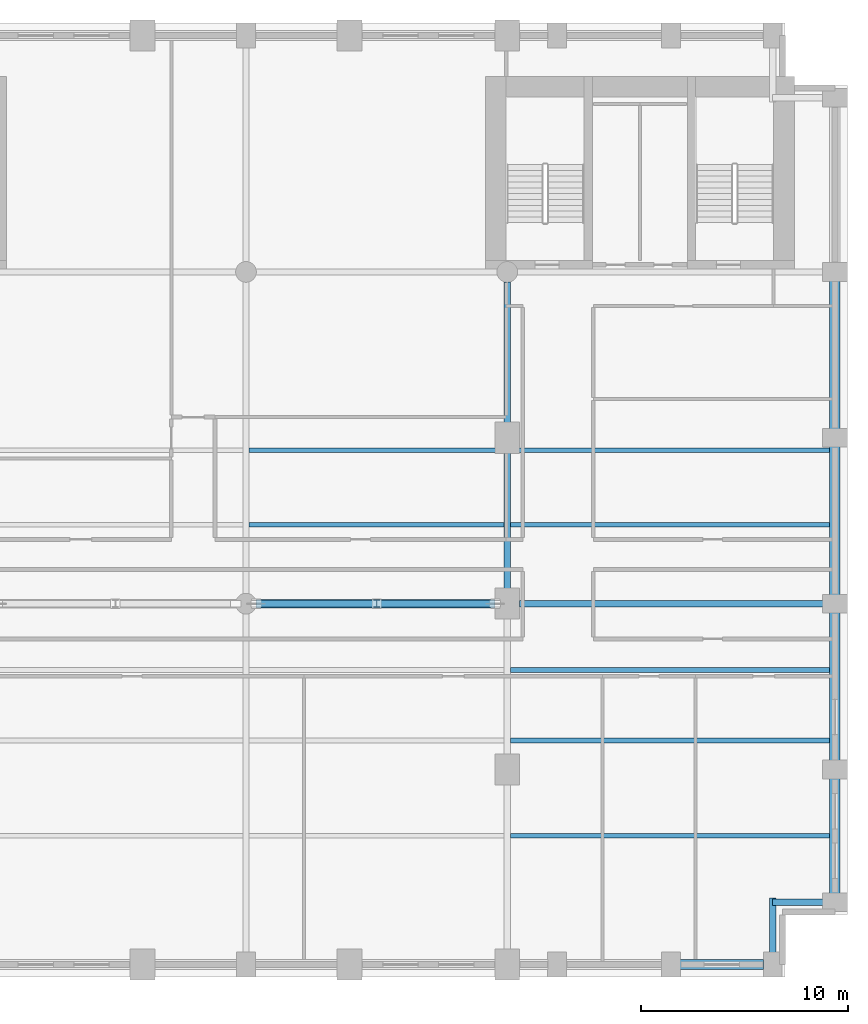
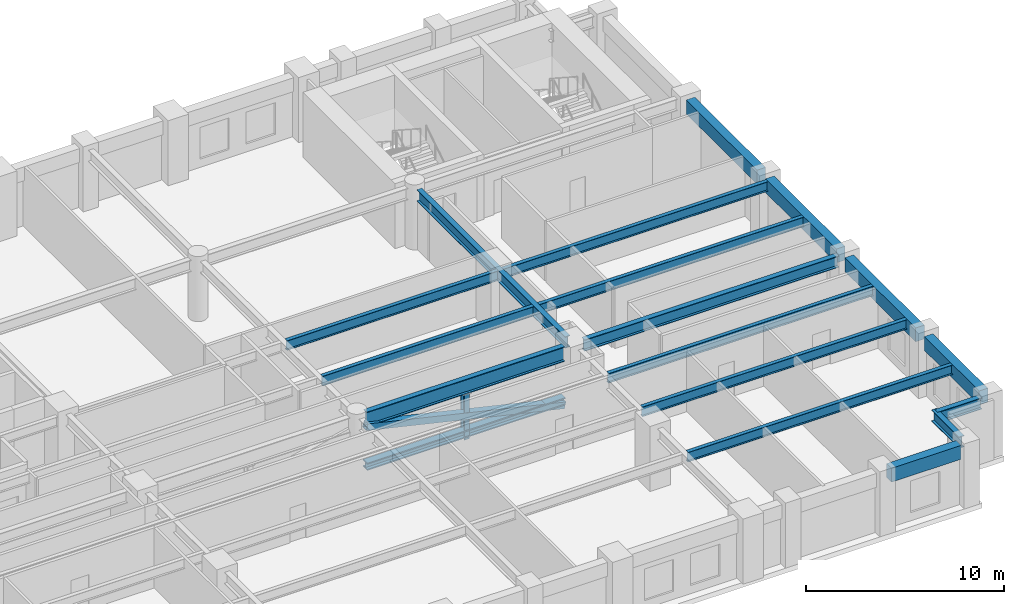
# One storey, part 3 of 10: 17 beams, 3 members.
"""IFC4 building model written with IfcOpenShell, lengths in metres."""

from ifc_helpers import new_model, si_unit, direction, frame, origin, origin_2d, place, context, subcontext, project, spatial, rectangle, hollow_rectangle, i_section, extrude, material, material_profile, profile_set, type_object, element, save


model = new_model("IFC4")

# Units and contexts
model_context = context("Model", 3, precision=1e-05, world=origin(), true_north=direction((0.0, 1.0)))
body_context = subcontext(model_context, "Body", "Model", "MODEL_VIEW")
ifc_project = project(units=[si_unit("LENGTHUNIT", "METRE"), si_unit("AREAUNIT", "SQUARE_METRE"), si_unit("VOLUMEUNIT", "CUBIC_METRE"), si_unit("PLANEANGLEUNIT", "RADIAN"), si_unit("MASSUNIT", "GRAM", prefix="KILO")], contexts=[model_context])

# Site, building, storey
site_placement = place(None, origin())
site = spatial("IfcSite", under=ifc_project, at=site_placement, CompositionType="ELEMENT")
building_placement = place(site_placement, origin())
building = spatial("IfcBuilding", under=site, at=building_placement, Name="Sulina Concourse Tower", CompositionType="ELEMENT")
storey_placement = place(building_placement, frame((0.0, 0.0, 62.60009765625)))
storey = spatial("IfcBuildingStorey", under=building, at=storey_placement, Name="L15", CompositionType="ELEMENT", Elevation=62.60009765625)

# Beams
ifc_material_1 = material(Name="Steel S355", Category="steel")
ifc_material_profile_1 = material_profile(ifc_material_1, i_section(OverallWidth=0.219970703125, OverallDepth=0.60009765625, WebThickness=0.011962890625, FlangeThickness=0.01904296875, at=origin_2d()), Name="IPE 600")
ifc_profile_set_1 = profile_set([ifc_material_profile_1], Name="Steel S355")
beam_type_1 = type_object("IfcBeamType", Name="Composite Floor Joist IPE600", PredefinedType="JOIST", material=ifc_profile_set_1)
for number, where, z_axis, x_axis, name in (
    (1, (41.75, 6.800048828125, 3.39990234375), (1.0, 0.0, 0.0), (0.0, 1.0, 0.0), "FJ-J06-4-L15"),
    (2, (41.75, 11.39990234375, 3.39990234375), (1.0, 0.0, 0.0), (0.0, 1.0, 0.0), "FJ-J11-4-L15"),
    (3, (41.75, 14.800048828125, 3.39990234375), (1.0, 0.0, 0.0), (0.0, 1.0, 0.0), "FJ-J15-4-L15"),
):
    element("IfcBeam", number, at=place(storey_placement, frame(where, z_axis=z_axis, x_axis=x_axis)), inside=storey, type_object=beam_type_1, Name=name, PredefinedType="JOIST", context=body_context, shape_type="SweptSolid", body=[
        extrude(i_section(OverallWidth=0.219970703125, OverallDepth=0.60009765625, WebThickness=0.011962890625, FlangeThickness=0.01904296875, at=origin_2d()), origin(), (0.0, 0.0, 1.0), 15.39990234375),
    ])
beam_1_placement = place(storey_placement, frame((29.14990234375, 21.800048828125, 3.39990234375), z_axis=(1.0, 0.0, 0.0), x_axis=(0.0, 1.0, 0.0)))
element("IfcBeam", 4, at=beam_1_placement, inside=storey, type_object=beam_type_1, Name="FJ-J22-3-L15", PredefinedType="JOIST", context=body_context, shape_type="SweptSolid", body=[
    extrude(i_section(OverallWidth=0.219970703125, OverallDepth=0.60009765625, WebThickness=0.011962890625, FlangeThickness=0.01904296875, at=origin_2d()), origin(), (0.0, 0.0, 1.0), 12.300048828125),
])
beam_2_placement = place(storey_placement, frame((41.75, 21.800048828125, 3.39990234375), z_axis=(1.0, 0.0, 0.0), x_axis=(0.0, 1.0, 0.0)))
element("IfcBeam", 5, at=beam_2_placement, inside=storey, type_object=beam_type_1, Name="FJ-J22-4-L15", PredefinedType="JOIST", context=body_context, shape_type="SweptSolid", body=[
    extrude(i_section(OverallWidth=0.219970703125, OverallDepth=0.60009765625, WebThickness=0.011962890625, FlangeThickness=0.01904296875, at=origin_2d()), origin(), (0.0, 0.0, 1.0), 15.39990234375),
])
beam_3_placement = place(storey_placement, frame((29.14990234375, 25.39990234375, 3.39990234375), z_axis=(1.0, 0.0, 0.0), x_axis=(0.0, 1.0, 0.0)))
element("IfcBeam", 6, at=beam_3_placement, inside=storey, type_object=beam_type_1, Name="FJ-J25-3-L15", PredefinedType="JOIST", context=body_context, shape_type="SweptSolid", body=[
    extrude(i_section(OverallWidth=0.219970703125, OverallDepth=0.60009765625, WebThickness=0.011962890625, FlangeThickness=0.01904296875, at=origin_2d()), origin(), (0.0, 0.0, 1.0), 12.300048828125),
])
beam_4_placement = place(storey_placement, frame((41.75, 25.39990234375, 3.39990234375), z_axis=(1.0, 0.0, 0.0), x_axis=(0.0, 1.0, 0.0)))
element("IfcBeam", 7, at=beam_4_placement, inside=storey, type_object=beam_type_1, Name="FJ-J25-4-L15", PredefinedType="JOIST", context=body_context, shape_type="SweptSolid", body=[
    extrude(i_section(OverallWidth=0.219970703125, OverallDepth=0.60009765625, WebThickness=0.011962890625, FlangeThickness=0.01904296875, at=origin_2d()), origin(), (0.0, 0.0, 1.0), 15.39990234375),
])
ifc_material_2 = material(Name="Steel S355", Category="steel")
ifc_material_profile_2 = material_profile(ifc_material_2, i_section(OverallWidth=0.300048828125, OverallDepth=0.699951171875, WebThickness=0.01708984375, FlangeThickness=0.031982421875, at=origin_2d()), Name="HE 700 B")
ifc_profile_set_2 = profile_set([ifc_material_profile_2], Name="Steel S355")
beam_type_2 = type_object("IfcBeamType", Name="Floor Primary Girder Zone 1 HE700B", PredefinedType="BEAM", material=ifc_profile_set_2)
beam_5_placement = place(storey_placement, frame((54.39990234375, 3.60009765625, 3.349853515625), z_axis=(1.0, 0.0, 0.0), x_axis=(0.0, 1.0, 0.0)))
element("IfcBeam", 8, at=beam_5_placement, inside=storey, type_object=beam_type_2, Name="TIE-SE-L15", PredefinedType="BEAM", context=body_context, shape_type="SweptSolid", body=[
    extrude(i_section(OverallWidth=0.300048828125, OverallDepth=0.699951171875, WebThickness=0.01708984375, FlangeThickness=0.031982421875, at=origin_2d()), origin(), (0.0, 0.0, 1.0), 2.570068359375),
])
beam_6_placement = place(storey_placement, frame((54.39990234375, 1.030029296875, 3.349853515625), z_axis=(0.0, 1.0, 0.0), x_axis=(-1.0, 0.0, 0.0)))
element("IfcBeam", 9, at=beam_6_placement, inside=storey, type_object=beam_type_2, Name="TIE-SES-L15", PredefinedType="BEAM", context=body_context, shape_type="SweptSolid", body=[
    extrude(i_section(OverallWidth=0.300048828125, OverallDepth=0.699951171875, WebThickness=0.01708984375, FlangeThickness=0.031982421875, at=origin_2d()), origin(), (0.0, 0.0, 1.0), 2.77001953125),
])
beam_7_placement = place(storey_placement, frame((42.179931640625, 18.0, 3.349853515625), z_axis=(1.0, 0.0, 0.0), x_axis=(0.0, 1.0, 0.0)))
element("IfcBeam", 10, at=beam_7_placement, inside=storey, type_object=beam_type_2, Name="FG-EW4-L15", PredefinedType="BEAM", context=body_context, shape_type="SweptSolid", body=[
    extrude(i_section(OverallWidth=0.300048828125, OverallDepth=0.699951171875, WebThickness=0.01708984375, FlangeThickness=0.031982421875, at=origin_2d()), origin(), (0.0, 0.0, 1.0), 14.7900390625),
])
beam_8_placement = place(storey_placement, frame((41.60009765625, 18.580078125, 3.349853515625), z_axis=(0.0, 1.0, 0.0), x_axis=(-1.0, 0.0, 0.0)))
element("IfcBeam", 11, at=beam_8_placement, inside=storey, type_object=beam_type_2, Name="FG-NSB-41-L15", PredefinedType="BEAM", context=body_context, shape_type="SweptSolid", body=[
    extrude(i_section(OverallWidth=0.300048828125, OverallDepth=0.699951171875, WebThickness=0.01708984375, FlangeThickness=0.031982421875, at=origin_2d()), origin(), (0.0, 0.0, 1.0), 14.93994140625),
])

# Member
ifc_material_3 = material(Name="Steel S355", Category="steel")
ifc_material_profile_3 = material_profile(ifc_material_3, i_section(OverallWidth=0.412109375, OverallDepth=0.449951171875, WebThickness=0.041015625, FlangeThickness=0.068115234375, at=origin_2d()), Name="HD 400x509")
ifc_profile_set_3 = profile_set([ifc_material_profile_3], Name="Steel S355")
member_type_1 = type_object("IfcMemberType", Name="Lower Bridge Truss Chord HD400x509", PredefinedType="CHORD", material=ifc_profile_set_3)
member_1_placement = place(storey_placement, frame((29.489990234375, 18.0, 0.369873046875), z_axis=(1.0, 0.0, 0.0), x_axis=(0.0, 1.0, 0.0)))
element("IfcMember", 12, at=member_1_placement, inside=storey, type_object=member_type_1, Name="LBT-CH-2-L15", PredefinedType="CHORD", context=body_context, shape_type="SweptSolid", body=[
    extrude(i_section(OverallWidth=0.412109375, OverallDepth=0.449951171875, WebThickness=0.041015625, FlangeThickness=0.068115234375, at=origin_2d()), origin(), (0.0, 0.0, 1.0), 11.52001953125),
])

# Beam
ifc_material_4 = material(Name="Steel S355", Category="steel")
ifc_material_profile_4 = material_profile(ifc_material_4, i_section(OverallWidth=0.302001953125, OverallDepth=0.909912109375, WebThickness=0.02099609375, FlangeThickness=0.0400390625, at=origin_2d()), Name="HE 900 M")
ifc_profile_set_4 = profile_set([ifc_material_profile_4], Name="Steel S355")
beam_type_3 = type_object("IfcBeamType", Name="Lower Portal Bridge Girder HE900M", PredefinedType="BEAM", material=ifc_profile_set_4)
beam_9_placement = place(storey_placement, frame((29.47998046875, 18.0, 3.244873046875), z_axis=(1.0, 0.0, 0.0), x_axis=(0.0, 1.0, 0.0)))
element("IfcBeam", 13, at=beam_9_placement, inside=storey, type_object=beam_type_3, Name="FG-EW3-L15", PredefinedType="BEAM", context=body_context, shape_type="SweptSolid", body=[
    extrude(i_section(OverallWidth=0.302001953125, OverallDepth=0.909912109375, WebThickness=0.02099609375, FlangeThickness=0.0400390625, at=origin_2d()), origin(), (0.0, 0.0, 1.0), 11.5400390625),
])

# Member
ifc_material_5 = material(Name="Steel S355", Category="steel")
ifc_material_profile_5 = material_profile(ifc_material_5, hollow_rectangle(XDim=0.39990234375, YDim=0.39990234375, WallThickness=0.02001953125, at=origin_2d()), Name="SHS 400x400x20")
ifc_profile_set_5 = profile_set([ifc_material_profile_5], Name="Steel S355")
member_type_2 = type_object("IfcMemberType", Name="Lower Portal Bridge Web Brace SHS400x400x20", PredefinedType="BRACE", material=ifc_profile_set_5)
member_2_placement = place(storey_placement, frame((41.010009765625, 18.0, 0.119873046875), z_axis=(-0.973992032443, 0.0, 0.226582260419), x_axis=(0.0, -1.0, 0.0)))
element("IfcMember", 14, at=member_2_placement, inside=storey, type_object=member_type_2, Name="LBT-DG-2-L15", PredefinedType="BRACE", context=body_context, shape_type="SweptSolid", body=[
    extrude(hollow_rectangle(XDim=0.39990234375, YDim=0.39990234375, WallThickness=0.02001953125, at=origin_2d()), origin(), (0.0, 0.0, 1.0), 11.82763671875),
])

# Beams
ifc_material_6 = material(Name="Precast concrete C50/60", Category="concrete")
ifc_material_profile_6 = material_profile(ifc_material_6, rectangle(XDim=0.5, YDim=0.85009765625, at=origin_2d()), Name="RC 500x850")
ifc_profile_set_6 = profile_set([ifc_material_profile_6], Name="Precast concrete C50/60")
beam_type_4 = type_object("IfcBeamType", Name="Lower Precast Spandrel Edge Beam 500x850", PredefinedType="BEAM", material=ifc_profile_set_6)
beam_10_placement = place(storey_placement, frame((49.929931640625, 0.60009765625, 3.27490234375), z_axis=(1.0, 0.0, 0.0), x_axis=(0.0, 1.0, 0.0)))
element("IfcBeam", 15, at=beam_10_placement, inside=storey, type_object=beam_type_4, Name="SP-S10-L15", PredefinedType="BEAM", context=body_context, shape_type="SweptSolid", body=[
    extrude(rectangle(XDim=0.5, YDim=0.85009765625, at=origin_2d()), origin(), (0.0, 0.0, 1.0), 4.0400390625),
])
beam_11_placement = place(storey_placement, frame((57.39990234375, 4.030029296875, 3.27490234375), z_axis=(0.0, 1.0, 0.0), x_axis=(-1.0, 0.0, 0.0)))
element("IfcBeam", 16, at=beam_11_placement, inside=storey, type_object=beam_type_4, Name="SP-E1-L15", PredefinedType="BEAM", context=body_context, shape_type="SweptSolid", body=[
    extrude(rectangle(XDim=0.5, YDim=0.85009765625, at=origin_2d()), origin(), (0.0, 0.0, 1.0), 5.5400390625),
])
for number, where, z_axis, x_axis, name in (
    (17, (57.39990234375, 10.429931640625, 3.27490234375), (0.0, 1.0, 0.0), (-1.0, 0.0, 0.0), "SP-E2-L15"),
    (18, (57.39990234375, 18.429931640625, 3.27490234375), (0.0, 1.0, 0.0), (-1.0, 0.0, 0.0), "SP-E3-L15"),
    (19, (57.39990234375, 26.429931640625, 3.27490234375), (0.0, 1.0, 0.0), (-1.0, 0.0, 0.0), "SP-E4-L15"),
):
    element("IfcBeam", number, at=place(storey_placement, frame(where, z_axis=z_axis, x_axis=x_axis)), inside=storey, type_object=beam_type_4, Name=name, PredefinedType="BEAM", context=body_context, shape_type="SweptSolid", body=[
        extrude(rectangle(XDim=0.5, YDim=0.85009765625, at=origin_2d()), origin(), (0.0, 0.0, 1.0), 7.14013671875),
    ])

# Member
ifc_material_7 = material(Name="Steel S355", Category="steel")
ifc_material_profile_7 = material_profile(ifc_material_7, i_section(OverallWidth=0.300048828125, OverallDepth=0.360107421875, WebThickness=0.012451171875, FlangeThickness=0.0224609375, at=origin_2d()), Name="HE 360 B")
ifc_profile_set_7 = profile_set([ifc_material_profile_7], Name="Steel S355")
member_type_3 = type_object("IfcMemberType", Name="Truss Vertical Post Strut HE360B", PredefinedType="STRUT", material=ifc_profile_set_7)
member_3_placement = place(storey_placement, frame((35.300048828125, 18.0, 0.0048828125), z_axis=(0.0, 0.0, 1.0), x_axis=(1.0, 0.0, 0.0)))
element("IfcMember", 20, at=member_3_placement, inside=storey, type_object=member_type_3, Name="LBT-VP-2-L15", PredefinedType="STRUT", context=body_context, shape_type="SweptSolid", body=[
    extrude(i_section(OverallWidth=0.300048828125, OverallDepth=0.360107421875, WebThickness=0.012451171875, FlangeThickness=0.0224609375, at=origin_2d()), origin(), (0.0, 0.0, 1.0), 2.794921875),
])

save(model, "model.ifc")
